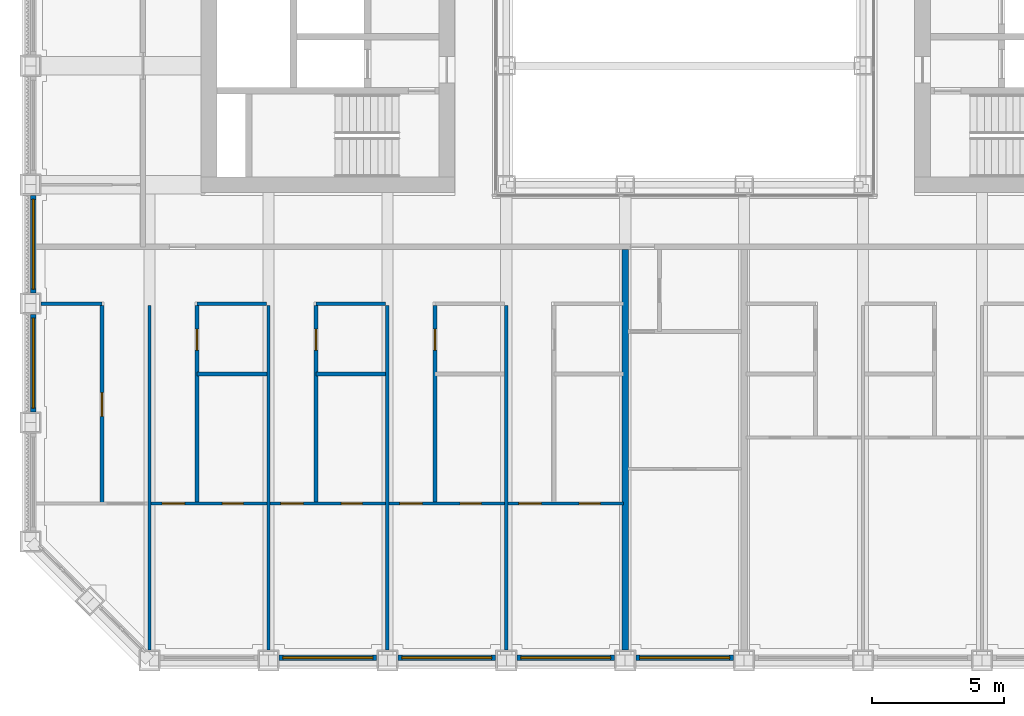
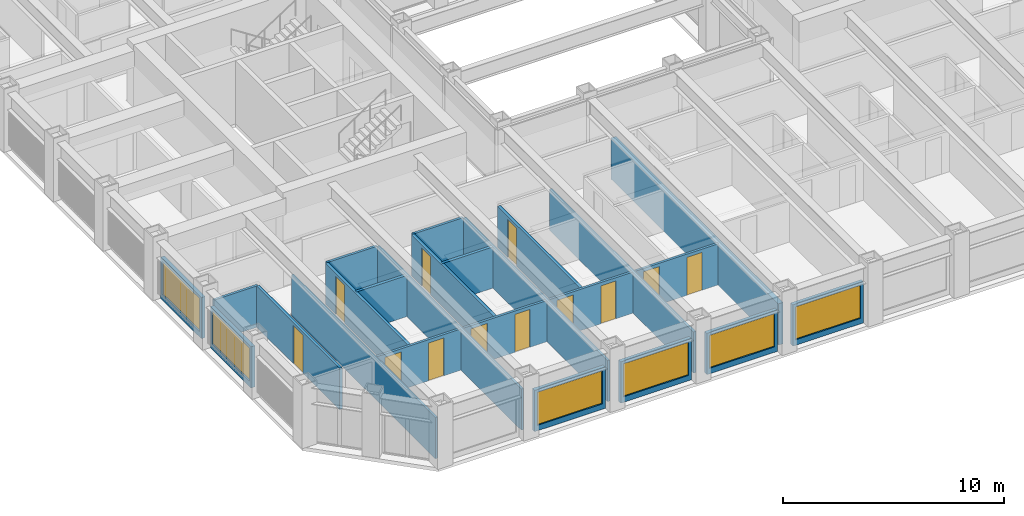
# One storey, part 9 of 21: 24 walls, 12 doors, 6 windows, 18 openings.
"""IFC4 building model written with IfcOpenShell, lengths in metres."""

from ifc_helpers import new_model, si_unit, direction, frame, frame_2d, origin, place, context, subcontext, project, spatial, rectangle, extrude, material, layer, layer_set, type_object, element, fill, save


model = new_model("IFC4")

# Units and contexts
model_context = context("Model", 3, precision=1e-05, world=origin(), true_north=direction((0.0, 1.0)))
body_context = subcontext(model_context, "Body", "Model", "MODEL_VIEW")
ifc_project = project(units=[si_unit("LENGTHUNIT", "METRE"), si_unit("AREAUNIT", "SQUARE_METRE"), si_unit("VOLUMEUNIT", "CUBIC_METRE"), si_unit("PLANEANGLEUNIT", "RADIAN"), si_unit("MASSUNIT", "GRAM", prefix="KILO")], contexts=[model_context])

# Site, building, storey
site_placement = place(None, origin())
site = spatial("IfcSite", under=ifc_project, at=site_placement, CompositionType="ELEMENT")
building_placement = place(site_placement, origin())
building = spatial("IfcBuilding", under=site, at=building_placement, Name="Msasa Ring Tower", CompositionType="ELEMENT")
storey_placement = place(building_placement, frame((0.0, 0.0, 103.5)))
storey = spatial("IfcBuildingStorey", under=building, at=storey_placement, Name="L27", CompositionType="ELEMENT", Elevation=103.5)

# Wall, opening, window
ifc_material_1 = material(Name="Terracotta rainscreen on blockwork", Category="masonry")
ifc_layer_1 = layer(ifc_material_1, 0.199951171875)
ifc_layer_set_1 = layer_set([ifc_layer_1], Name="FW1 TERRACOTTA-LINED INFILL BAY WALL 200")
wall_type_1 = type_object("IfcWallType", Name="FW1 TERRACOTTA-LINED INFILL BAY WALL 200", PredefinedType="SOLIDWALL", material=ifc_layer_set_1)
wall_1_placement = place(storey_placement, frame((-15.344970703125, -24.64990234375, 0.0), z_axis=(0.0, 0.0, 1.0), x_axis=(1.0, 0.0, 0.0)))
wall_1 = element("IfcWall", 1, at=wall_1_placement, inside=storey, type_object=wall_type_1, Name="Infill bay wall S L27 01", PredefinedType="SOLIDWALL", context=body_context, shape_type="SweptSolid", body=[
    extrude(rectangle(XDim=3.68994140625, YDim=0.199951171875, at=frame_2d((1.844970703125, 0.0))), origin(), (0.0, 0.0, 1.0), 2.279052734375),
])
opening_1_placement = place(wall_1_placement, frame((0.14501953125, 0.0, 0.300048828125)))
opening_1 = element("IfcOpeningElement", 2, at=opening_1_placement, cuts=wall_1, Name="Opening WN6", PredefinedType="OPENING", context=body_context, shape_type="SweptSolid", body=[
    extrude(rectangle(XDim=3.39990234375, YDim=1.8291015625, at=frame_2d((1.699951171875, 0.91455078125))), frame((0.0, 0.10986328125, 0.0), z_axis=(0.0, -1.0, 0.0), x_axis=(1.0, 0.0, 0.0)), (0.0, 0.0, 1.0), 0.219970703125),
])
ifc_material_2 = material(Name="Aluminium frame with clear glass", Category="aluminium")
window_type = type_object("IfcWindowType", Name="WN6 RESIDENCE WINDOW 3400x1829", PartitioningType="SINGLE_PANEL", PredefinedType="WINDOW", material=ifc_material_2)
window_1_placement = place(opening_1_placement, origin())
window_1 = element("IfcWindow", 3, at=window_1_placement, inside=storey, type_object=window_type, Name="Window S L27 01", OverallHeight=1.8291015625, OverallWidth=3.39990234375, PartitioningType="SINGLE_PANEL", PredefinedType="WINDOW", context=body_context, shape_type="SweptSolid", body=[
    extrude(rectangle(XDim=3.39990234375, YDim=1.8291015625, at=frame_2d((1.699951171875, 0.91455078125))), frame((0.0, 0.030029296875, 0.0), z_axis=(0.0, -1.0, 0.0), x_axis=(1.0, 0.0, 0.0)), (0.0, 0.0, 1.0), 0.06005859375),
])
fill(opening_1, window_1)

wall_2_placement = place(storey_placement, frame((-10.844970703125, -24.64990234375, 0.0), z_axis=(0.0, 0.0, 1.0), x_axis=(1.0, 0.0, 0.0)))
wall_2 = element("IfcWall", 4, at=wall_2_placement, inside=storey, type_object=wall_type_1, Name="Infill bay wall S L27 02", PredefinedType="SOLIDWALL", context=body_context, shape_type="SweptSolid", body=[
    extrude(rectangle(XDim=3.68994140625, YDim=0.199951171875, at=frame_2d((1.844970703125, 0.0))), origin(), (0.0, 0.0, 1.0), 2.279052734375),
])
opening_2_placement = place(wall_2_placement, frame((0.14501953125, 0.0, 0.300048828125)))
opening_2 = element("IfcOpeningElement", 5, at=opening_2_placement, cuts=wall_2, Name="Opening WN6", PredefinedType="OPENING", context=body_context, shape_type="SweptSolid", body=[
    extrude(rectangle(XDim=3.39990234375, YDim=1.8291015625, at=frame_2d((1.699951171875, 0.91455078125))), frame((0.0, 0.10986328125, 0.0), z_axis=(0.0, -1.0, 0.0), x_axis=(1.0, 0.0, 0.0)), (0.0, 0.0, 1.0), 0.219970703125),
])
window_2_placement = place(opening_2_placement, origin())
window_2 = element("IfcWindow", 6, at=window_2_placement, inside=storey, type_object=window_type, Name="Window S L27 02", OverallHeight=1.8291015625, OverallWidth=3.39990234375, PartitioningType="SINGLE_PANEL", PredefinedType="WINDOW", context=body_context, shape_type="SweptSolid", body=[
    extrude(rectangle(XDim=3.39990234375, YDim=1.8291015625, at=frame_2d((1.699951171875, 0.91455078125))), frame((0.0, 0.030029296875, 0.0), z_axis=(0.0, -1.0, 0.0), x_axis=(1.0, 0.0, 0.0)), (0.0, 0.0, 1.0), 0.06005859375),
])
fill(opening_2, window_2)

wall_3_placement = place(storey_placement, frame((-6.344970703125, -24.64990234375, 0.0), z_axis=(0.0, 0.0, 1.0), x_axis=(1.0, 0.0, 0.0)))
wall_3 = element("IfcWall", 7, at=wall_3_placement, inside=storey, type_object=wall_type_1, Name="Infill bay wall S L27 03", PredefinedType="SOLIDWALL", context=body_context, shape_type="SweptSolid", body=[
    extrude(rectangle(XDim=3.68994140625, YDim=0.199951171875, at=frame_2d((1.844970703125, 0.0))), origin(), (0.0, 0.0, 1.0), 2.279052734375),
])
opening_3_placement = place(wall_3_placement, frame((0.14501953125, 0.0, 0.300048828125)))
opening_3 = element("IfcOpeningElement", 8, at=opening_3_placement, cuts=wall_3, Name="Opening WN6", PredefinedType="OPENING", context=body_context, shape_type="SweptSolid", body=[
    extrude(rectangle(XDim=3.39990234375, YDim=1.8291015625, at=frame_2d((1.699951171875, 0.91455078125))), frame((0.0, 0.10986328125, 0.0), z_axis=(0.0, -1.0, 0.0), x_axis=(1.0, 0.0, 0.0)), (0.0, 0.0, 1.0), 0.219970703125),
])
window_3_placement = place(opening_3_placement, origin())
window_3 = element("IfcWindow", 9, at=window_3_placement, inside=storey, type_object=window_type, Name="Window S L27 03", OverallHeight=1.8291015625, OverallWidth=3.39990234375, PartitioningType="SINGLE_PANEL", PredefinedType="WINDOW", context=body_context, shape_type="SweptSolid", body=[
    extrude(rectangle(XDim=3.39990234375, YDim=1.8291015625, at=frame_2d((1.699951171875, 0.91455078125))), frame((0.0, 0.030029296875, 0.0), z_axis=(0.0, -1.0, 0.0), x_axis=(1.0, 0.0, 0.0)), (0.0, 0.0, 1.0), 0.06005859375),
])
fill(opening_3, window_3)

wall_4_placement = place(storey_placement, frame((-1.844970703125, -24.64990234375, 0.0), z_axis=(0.0, 0.0, 1.0), x_axis=(1.0, 0.0, 0.0)))
wall_4 = element("IfcWall", 10, at=wall_4_placement, inside=storey, type_object=wall_type_1, Name="Infill bay wall S L27 04", PredefinedType="SOLIDWALL", context=body_context, shape_type="SweptSolid", body=[
    extrude(rectangle(XDim=3.68994140625, YDim=0.199951171875, at=frame_2d((1.844970703125, 0.0))), origin(), (0.0, 0.0, 1.0), 2.279052734375),
])
opening_4_placement = place(wall_4_placement, frame((0.14501953125, 0.0, 0.300048828125)))
opening_4 = element("IfcOpeningElement", 11, at=opening_4_placement, cuts=wall_4, Name="Opening WN6", PredefinedType="OPENING", context=body_context, shape_type="SweptSolid", body=[
    extrude(rectangle(XDim=3.39990234375, YDim=1.8291015625, at=frame_2d((1.699951171875, 0.91455078125))), frame((0.0, 0.10986328125, 0.0), z_axis=(0.0, -1.0, 0.0), x_axis=(1.0, 0.0, 0.0)), (0.0, 0.0, 1.0), 0.219970703125),
])
window_4_placement = place(opening_4_placement, origin())
window_4 = element("IfcWindow", 12, at=window_4_placement, inside=storey, type_object=window_type, Name="Window S L27 04", OverallHeight=1.8291015625, OverallWidth=3.39990234375, PartitioningType="SINGLE_PANEL", PredefinedType="WINDOW", context=body_context, shape_type="SweptSolid", body=[
    extrude(rectangle(XDim=3.39990234375, YDim=1.8291015625, at=frame_2d((1.699951171875, 0.91455078125))), frame((0.0, 0.030029296875, 0.0), z_axis=(0.0, -1.0, 0.0), x_axis=(1.0, 0.0, 0.0)), (0.0, 0.0, 1.0), 0.06005859375),
])
fill(opening_4, window_4)

wall_5_placement = place(storey_placement, frame((-24.64990234375, -15.344970703125, 0.0), z_axis=(0.0, 0.0, 1.0), x_axis=(0.0, 1.0, 0.0)))
wall_5 = element("IfcWall", 13, at=wall_5_placement, inside=storey, type_object=wall_type_1, Name="Infill bay wall W L27 34", PredefinedType="SOLIDWALL", context=body_context, shape_type="SweptSolid", body=[
    extrude(rectangle(XDim=3.68994140625, YDim=0.199951171875, at=frame_2d((1.844970703125, 0.0))), origin(), (0.0, 0.0, 1.0), 2.279052734375),
])
opening_5_placement = place(wall_5_placement, frame((0.14501953125, 0.0, 0.300048828125)))
opening_5 = element("IfcOpeningElement", 14, at=opening_5_placement, cuts=wall_5, Name="Opening WN6", PredefinedType="OPENING", context=body_context, shape_type="SweptSolid", body=[
    extrude(rectangle(XDim=3.39990234375, YDim=1.8291015625, at=frame_2d((1.699951171875, 0.91455078125))), frame((0.0, 0.10986328125, 0.0), z_axis=(0.0, -1.0, 0.0), x_axis=(1.0, 0.0, 0.0)), (0.0, 0.0, 1.0), 0.219970703125),
])
window_5_placement = place(opening_5_placement, origin())
window_5 = element("IfcWindow", 15, at=window_5_placement, inside=storey, type_object=window_type, Name="Window W L27 34", OverallHeight=1.8291015625, OverallWidth=3.39990234375, PartitioningType="SINGLE_PANEL", PredefinedType="WINDOW", context=body_context, shape_type="SweptSolid", body=[
    extrude(rectangle(XDim=3.39990234375, YDim=1.8291015625, at=frame_2d((1.699951171875, 0.91455078125))), frame((0.0, 0.030029296875, 0.0), z_axis=(0.0, -1.0, 0.0), x_axis=(1.0, 0.0, 0.0)), (0.0, 0.0, 1.0), 0.06005859375),
])
fill(opening_5, window_5)

wall_6_placement = place(storey_placement, frame((-24.64990234375, -10.844970703125, 0.0), z_axis=(0.0, 0.0, 1.0), x_axis=(0.0, 1.0, 0.0)))
wall_6 = element("IfcWall", 16, at=wall_6_placement, inside=storey, type_object=wall_type_1, Name="Infill bay wall W L27 35", PredefinedType="SOLIDWALL", context=body_context, shape_type="SweptSolid", body=[
    extrude(rectangle(XDim=3.68994140625, YDim=0.199951171875, at=frame_2d((1.844970703125, 0.0))), origin(), (0.0, 0.0, 1.0), 2.279052734375),
])
opening_6_placement = place(wall_6_placement, frame((0.14501953125, 0.0, 0.300048828125)))
opening_6 = element("IfcOpeningElement", 17, at=opening_6_placement, cuts=wall_6, Name="Opening WN6", PredefinedType="OPENING", context=body_context, shape_type="SweptSolid", body=[
    extrude(rectangle(XDim=3.39990234375, YDim=1.8291015625, at=frame_2d((1.699951171875, 0.91455078125))), frame((0.0, 0.10986328125, 0.0), z_axis=(0.0, -1.0, 0.0), x_axis=(1.0, 0.0, 0.0)), (0.0, 0.0, 1.0), 0.219970703125),
])
window_6_placement = place(opening_6_placement, origin())
window_6 = element("IfcWindow", 18, at=window_6_placement, inside=storey, type_object=window_type, Name="Window W L27 35", OverallHeight=1.8291015625, OverallWidth=3.39990234375, PartitioningType="SINGLE_PANEL", PredefinedType="WINDOW", context=body_context, shape_type="SweptSolid", body=[
    extrude(rectangle(XDim=3.39990234375, YDim=1.8291015625, at=frame_2d((1.699951171875, 0.91455078125))), frame((0.0, 0.030029296875, 0.0), z_axis=(0.0, -1.0, 0.0), x_axis=(1.0, 0.0, 0.0)), (0.0, 0.0, 1.0), 0.06005859375),
])
fill(opening_6, window_6)

# Wall
ifc_material_3 = material(Name="Dense concrete blockwork, plastered both faces", Category="masonry")
ifc_layer_2 = layer(ifc_material_3, 0.25)
ifc_layer_set_2 = layer_set([ifc_layer_2], Name="PT3 APARTMENT SEPARATING WALL 250")
wall_type_2 = type_object("IfcWallType", Name="PT3 APARTMENT SEPARATING WALL 250", PredefinedType="PARTITIONING", material=ifc_layer_set_2)
wall_7_placement = place(storey_placement, frame((-2.25, -24.35009765625, 0.0), z_axis=(0.0, 0.0, 1.0), x_axis=(0.0, 1.0, 0.0)))
element("IfcWall", 19, at=wall_7_placement, inside=storey, type_object=wall_type_2, Name="Party wall L27-PWS-2.25", PredefinedType="PARTITIONING", context=body_context, shape_type="SweptSolid", body=[
    extrude(rectangle(XDim=15.150146484375, YDim=0.25, at=frame_2d((7.5751953125, 0.0))), origin(), (0.0, 0.0, 1.0), 2.279052734375),
])

# Wall, opening, door
ifc_material_4 = material(Name="Moisture-resistant board on steel studs with a concealed cistern and pipe void, tiled", Category="steel")
ifc_layer_3 = layer(ifc_material_4, 0.14990234375)
ifc_layer_set_3 = layer_set([ifc_layer_3], Name="PT4 BATHROOM WET WALL 150")
wall_type_3 = type_object("IfcWallType", Name="PT4 BATHROOM WET WALL 150", PredefinedType="PARTITIONING", material=ifc_layer_set_3)
wall_8_placement = place(storey_placement, frame((-22.050048828125, -18.8125, 0.0), z_axis=(0.0, 0.0, 1.0), x_axis=(0.0, 1.0, 0.0)))
wall_8 = element("IfcWall", 20, at=wall_8_placement, inside=storey, type_object=wall_type_3, Name="Partition L27-US00SX0", PredefinedType="PARTITIONING", context=body_context, shape_type="SweptSolid", body=[
    extrude(rectangle(XDim=7.5, YDim=0.14990234375, at=frame_2d((3.75, 0.0))), origin(), (0.0, 0.0, 1.0), 2.279052734375),
])
opening_7_placement = place(wall_8_placement, frame((3.300048828125, 0.0, 0.0)))
opening_7 = element("IfcOpeningElement", 21, at=opening_7_placement, cuts=wall_8, Name="Opening RH-063", PredefinedType="OPENING", context=body_context, shape_type="SweptSolid", body=[
    extrude(rectangle(XDim=0.89990234375, YDim=2.10009765625, at=frame_2d((0.449951171875, 1.050048828125))), frame((0.0, 0.0849609375, 0.0), z_axis=(0.0, -1.0, 0.0), x_axis=(1.0, 0.0, 0.0)), (0.0, 0.0, 1.0), 0.169921875),
])
ifc_material_5 = material(Name="Timber door leaf in a steel frame", Category="steel")
door_type_1 = type_object("IfcDoorType", Name="D22 INTERNAL HALL DOOR 900x2100", OperationType="SINGLE_SWING_LEFT", PredefinedType="DOOR", material=ifc_material_5)
door_1_placement = place(opening_7_placement, origin())
door_1 = element("IfcDoor", 22, at=door_1_placement, inside=storey, type_object=door_type_1, Name="Door L27-US00K", OperationType="SINGLE_SWING_LEFT", OverallHeight=2.10009765625, OverallWidth=0.89990234375, PredefinedType="DOOR", context=body_context, shape_type="SweptSolid", body=[
    extrude(rectangle(XDim=0.89990234375, YDim=2.10009765625, at=frame_2d((0.449951171875, 1.050048828125))), frame((0.0, 0.02490234375, 0.0), z_axis=(0.0, -1.0, 0.0), x_axis=(1.0, 0.0, 0.0)), (0.0, 0.0, 1.0), 0.050048828125),
])
fill(opening_7, door_1)

wall_9_placement = place(storey_placement, frame((-18.449951171875, -18.8125, 0.0), z_axis=(0.0, 0.0, 1.0), x_axis=(0.0, 1.0, 0.0)))
wall_9 = element("IfcWall", 23, at=wall_9_placement, inside=storey, type_object=wall_type_3, Name="Partition L27-US00SX1", PredefinedType="PARTITIONING", context=body_context, shape_type="SweptSolid", body=[
    extrude(rectangle(XDim=7.5, YDim=0.14990234375, at=frame_2d((3.75, 0.0))), origin(), (0.0, 0.0, 1.0), 2.279052734375),
])
opening_8_placement = place(wall_9_placement, frame((5.800048828125, 0.0, 0.0)))
opening_8 = element("IfcOpeningElement", 24, at=opening_8_placement, cuts=wall_9, Name="Opening RH-054", PredefinedType="OPENING", context=body_context, shape_type="SweptSolid", body=[
    extrude(rectangle(XDim=0.800048828125, YDim=2.10009765625, at=frame_2d((0.39990234375, 1.050048828125))), frame((0.0, 0.0849609375, 0.0), z_axis=(0.0, -1.0, 0.0), x_axis=(1.0, 0.0, 0.0)), (0.0, 0.0, 1.0), 0.169921875),
])
ifc_material_6 = material(Name="Timber door leaf in a steel frame", Category="steel")
door_type_2 = type_object("IfcDoorType", Name="D21 POCKET SLIDING BATHROOM DOOR 800x2100", OperationType="SINGLE_SWING_LEFT", PredefinedType="DOOR", material=ifc_material_6)
door_2_placement = place(opening_8_placement, origin())
door_2 = element("IfcDoor", 25, at=door_2_placement, inside=storey, type_object=door_type_2, Name="Door L27-US00B1", OperationType="SINGLE_SWING_RIGHT", OverallHeight=2.10009765625, OverallWidth=0.800048828125, PredefinedType="DOOR", context=body_context, shape_type="SweptSolid", body=[
    extrude(rectangle(XDim=0.800048828125, YDim=2.10009765625, at=frame_2d((0.39990234375, 1.050048828125))), frame((0.0, 0.02490234375, 0.0), z_axis=(0.0, -1.0, 0.0), x_axis=(1.0, 0.0, 0.0)), (0.0, 0.0, 1.0), 0.050048828125),
])
fill(opening_8, door_2)

# Wall
wall_10_placement = place(storey_placement, frame((-18.449951171875, -13.91259765625, 0.0), z_axis=(0.0, 0.0, 1.0), x_axis=(1.0, 0.0, 0.0)))
element("IfcWall", 26, at=wall_10_placement, inside=storey, type_object=wall_type_3, Name="Partition L27-US00SB1", PredefinedType="PARTITIONING", context=body_context, shape_type="SweptSolid", body=[
    extrude(rectangle(XDim=2.637451171875, YDim=0.14990234375, at=frame_2d((1.31884765625, 0.0))), origin(), (0.0, 0.0, 1.0), 2.279052734375),
])

# Wall, opening, door
wall_11_placement = place(storey_placement, frame((-13.949951171875, -18.8125, 0.0), z_axis=(0.0, 0.0, 1.0), x_axis=(0.0, 1.0, 0.0)))
wall_11 = element("IfcWall", 27, at=wall_11_placement, inside=storey, type_object=wall_type_3, Name="Partition L27-US00SX2", PredefinedType="PARTITIONING", context=body_context, shape_type="SweptSolid", body=[
    extrude(rectangle(XDim=7.5, YDim=0.14990234375, at=frame_2d((3.75, 0.0))), origin(), (0.0, 0.0, 1.0), 2.279052734375),
])
opening_9_placement = place(wall_11_placement, frame((5.800048828125, 0.0, 0.0)))
opening_9 = element("IfcOpeningElement", 28, at=opening_9_placement, cuts=wall_11, Name="Opening RH-055", PredefinedType="OPENING", context=body_context, shape_type="SweptSolid", body=[
    extrude(rectangle(XDim=0.800048828125, YDim=2.10009765625, at=frame_2d((0.39990234375, 1.050048828125))), frame((0.0, 0.0849609375, 0.0), z_axis=(0.0, -1.0, 0.0), x_axis=(1.0, 0.0, 0.0)), (0.0, 0.0, 1.0), 0.169921875),
])
door_3_placement = place(opening_9_placement, origin())
door_3 = element("IfcDoor", 29, at=door_3_placement, inside=storey, type_object=door_type_2, Name="Door L27-US00B2", OperationType="SINGLE_SWING_RIGHT", OverallHeight=2.10009765625, OverallWidth=0.800048828125, PredefinedType="DOOR", context=body_context, shape_type="SweptSolid", body=[
    extrude(rectangle(XDim=0.800048828125, YDim=2.10009765625, at=frame_2d((0.39990234375, 1.050048828125))), frame((0.0, 0.02490234375, 0.0), z_axis=(0.0, -1.0, 0.0), x_axis=(1.0, 0.0, 0.0)), (0.0, 0.0, 1.0), 0.050048828125),
])
fill(opening_9, door_3)

# Wall
wall_12_placement = place(storey_placement, frame((-13.949951171875, -13.91259765625, 0.0), z_axis=(0.0, 0.0, 1.0), x_axis=(1.0, 0.0, 0.0)))
element("IfcWall", 30, at=wall_12_placement, inside=storey, type_object=wall_type_3, Name="Partition L27-US00SB2", PredefinedType="PARTITIONING", context=body_context, shape_type="SweptSolid", body=[
    extrude(rectangle(XDim=2.637451171875, YDim=0.14990234375, at=frame_2d((1.31884765625, 0.0))), origin(), (0.0, 0.0, 1.0), 2.279052734375),
])

# Wall, opening, door
wall_13_placement = place(storey_placement, frame((-9.449951171875, -18.8125, 0.0), z_axis=(0.0, 0.0, 1.0), x_axis=(0.0, 1.0, 0.0)))
wall_13 = element("IfcWall", 31, at=wall_13_placement, inside=storey, type_object=wall_type_3, Name="Partition L27-US00SX3", PredefinedType="PARTITIONING", context=body_context, shape_type="SweptSolid", body=[
    extrude(rectangle(XDim=7.5, YDim=0.14990234375, at=frame_2d((3.75, 0.0))), origin(), (0.0, 0.0, 1.0), 2.279052734375),
])
opening_10_placement = place(wall_13_placement, frame((5.800048828125, 0.0, 0.0)))
opening_10 = element("IfcOpeningElement", 32, at=opening_10_placement, cuts=wall_13, Name="Opening RH-056", PredefinedType="OPENING", context=body_context, shape_type="SweptSolid", body=[
    extrude(rectangle(XDim=0.800048828125, YDim=2.10009765625, at=frame_2d((0.39990234375, 1.050048828125))), frame((0.0, 0.0849609375, 0.0), z_axis=(0.0, -1.0, 0.0), x_axis=(1.0, 0.0, 0.0)), (0.0, 0.0, 1.0), 0.169921875),
])
door_4_placement = place(opening_10_placement, origin())
door_4 = element("IfcDoor", 33, at=door_4_placement, inside=storey, type_object=door_type_2, Name="Door L27-US00B3", OperationType="SINGLE_SWING_RIGHT", OverallHeight=2.10009765625, OverallWidth=0.800048828125, PredefinedType="DOOR", context=body_context, shape_type="SweptSolid", body=[
    extrude(rectangle(XDim=0.800048828125, YDim=2.10009765625, at=frame_2d((0.39990234375, 1.050048828125))), frame((0.0, 0.02490234375, 0.0), z_axis=(0.0, -1.0, 0.0), x_axis=(1.0, 0.0, 0.0)), (0.0, 0.0, 1.0), 0.050048828125),
])
fill(opening_10, door_4)

# Walls
ifc_material_7 = material(Name="Two layers of acoustic board each face on steel studs, mineral wool", Category="steel")
ifc_layer_4 = layer(ifc_material_7, 0.125)
ifc_layer_set_4 = layer_set([ifc_layer_4], Name="PT6 ACOUSTIC DOUBLE-BOARD PARTITION 125")
wall_type_4 = type_object("IfcWallType", Name="PT6 ACOUSTIC DOUBLE-BOARD PARTITION 125", PredefinedType="PARTITIONING", material=ifc_layer_set_4)
wall_14_placement = place(storey_placement, frame((-24.35009765625, -11.25, 0.0), z_axis=(0.0, 0.0, 1.0), x_axis=(1.0, 0.0, 0.0)))
element("IfcWall", 34, at=wall_14_placement, inside=storey, type_object=wall_type_4, Name="Partition L27-US00HY0", PredefinedType="PARTITIONING", context=body_context, shape_type="SweptSolid", body=[
    extrude(rectangle(XDim=2.300048828125, YDim=0.125, at=frame_2d((1.14990234375, 0.0))), origin(), (0.0, 0.0, 1.0), 2.279052734375),
])
wall_15_placement = place(storey_placement, frame((-20.25, -24.35009765625, 0.0), z_axis=(0.0, 0.0, 1.0), x_axis=(0.0, 1.0, 0.0)))
element("IfcWall", 35, at=wall_15_placement, inside=storey, type_object=wall_type_4, Name="Partition L27-US00P1", PredefinedType="PARTITIONING", context=body_context, shape_type="SweptSolid", body=[
    extrude(rectangle(XDim=13.03759765625, YDim=0.125, at=frame_2d((6.518798828125, 0.0))), origin(), (0.0, 0.0, 1.0), 2.279052734375),
])
wall_16_placement = place(storey_placement, frame((-18.449951171875, -11.25, 0.0), z_axis=(0.0, 0.0, 1.0), x_axis=(1.0, 0.0, 0.0)))
element("IfcWall", 36, at=wall_16_placement, inside=storey, type_object=wall_type_4, Name="Partition L27-US00HY1", PredefinedType="PARTITIONING", context=body_context, shape_type="SweptSolid", body=[
    extrude(rectangle(XDim=2.632568359375, YDim=0.125, at=frame_2d((1.31640625, 0.0))), origin(), (0.0, 0.0, 1.0), 2.279052734375),
])

# Wall, openings, doors
wall_17_placement = place(storey_placement, frame((-20.1875, -18.8125, 0.0), z_axis=(0.0, 0.0, 1.0), x_axis=(1.0, 0.0, 0.0)))
wall_17 = element("IfcWall", 37, at=wall_17_placement, inside=storey, type_object=wall_type_4, Name="Partition L27-US00SY1", PredefinedType="PARTITIONING", context=body_context, shape_type="SweptSolid", body=[
    extrude(rectangle(XDim=4.375, YDim=0.125, at=frame_2d((2.1875, 0.0))), origin(), (0.0, 0.0, 1.0), 2.279052734375),
])
opening_11_placement = place(wall_17_placement, frame((0.41259765625, 0.0, 0.0)))
opening_11 = element("IfcOpeningElement", 38, at=opening_11_placement, cuts=wall_17, Name="Opening RH-075", PredefinedType="OPENING", context=body_context, shape_type="SweptSolid", body=[
    extrude(rectangle(XDim=0.85009765625, YDim=2.10009765625, at=frame_2d((0.425048828125, 1.050048828125))), frame((0.0, 0.072509765625, 0.0), z_axis=(0.0, -1.0, 0.0), x_axis=(1.0, 0.0, 0.0)), (0.0, 0.0, 1.0), 0.14501953125),
])
opening_12_placement = place(wall_17_placement, frame((2.693603515625, 0.0, 0.0)))
opening_12 = element("IfcOpeningElement", 39, at=opening_12_placement, cuts=wall_17, Name="Opening RH-076", PredefinedType="OPENING", context=body_context, shape_type="SweptSolid", body=[
    extrude(rectangle(XDim=0.800048828125, YDim=2.10009765625, at=frame_2d((0.39990234375, 1.050048828125))), frame((0.0, 0.072509765625, 0.0), z_axis=(0.0, -1.0, 0.0), x_axis=(1.0, 0.0, 0.0)), (0.0, 0.0, 1.0), 0.14501953125),
])
ifc_material_8 = material(Name="Timber door leaf in a steel frame", Category="steel")
door_type_3 = type_object("IfcDoorType", Name="D14 BEDROOM DOOR 850x2100", OperationType="SINGLE_SWING_LEFT", PredefinedType="DOOR", material=ifc_material_8)
door_5_placement = place(opening_11_placement, origin())
door_5 = element("IfcDoor", 40, at=door_5_placement, inside=storey, type_object=door_type_3, Name="Door L27-US00R1", OperationType="SINGLE_SWING_LEFT", OverallHeight=2.10009765625, OverallWidth=0.85009765625, PredefinedType="DOOR", context=body_context, shape_type="SweptSolid", body=[
    extrude(rectangle(XDim=0.85009765625, YDim=2.10009765625, at=frame_2d((0.425048828125, 1.050048828125))), frame((0.0, 0.02490234375, 0.0), z_axis=(0.0, -1.0, 0.0), x_axis=(1.0, 0.0, 0.0)), (0.0, 0.0, 1.0), 0.050048828125),
])
fill(opening_11, door_5)
ifc_material_9 = material(Name="Timber door leaf in a steel frame", Category="steel")
door_type_4 = type_object("IfcDoorType", Name="D60 DRESSING ROOM DOOR 800x2100", OperationType="SINGLE_SWING_LEFT", PredefinedType="DOOR", material=ifc_material_9)
door_6_placement = place(opening_12_placement, origin())
door_6 = element("IfcDoor", 41, at=door_6_placement, inside=storey, type_object=door_type_4, Name="Door L27-US00W1", OperationType="SINGLE_SWING_RIGHT", OverallHeight=2.10009765625, OverallWidth=0.800048828125, PredefinedType="DOOR", context=body_context, shape_type="SweptSolid", body=[
    extrude(rectangle(XDim=0.800048828125, YDim=2.10009765625, at=frame_2d((0.39990234375, 1.050048828125))), frame((0.0, 0.02490234375, 0.0), z_axis=(0.0, -1.0, 0.0), x_axis=(1.0, 0.0, 0.0)), (0.0, 0.0, 1.0), 0.050048828125),
])
fill(opening_12, door_6)

# Walls
wall_18_placement = place(storey_placement, frame((-15.75, -24.35009765625, 0.0), z_axis=(0.0, 0.0, 1.0), x_axis=(0.0, 1.0, 0.0)))
element("IfcWall", 42, at=wall_18_placement, inside=storey, type_object=wall_type_4, Name="Partition L27-US00P2", PredefinedType="PARTITIONING", context=body_context, shape_type="SweptSolid", body=[
    extrude(rectangle(XDim=13.03759765625, YDim=0.125, at=frame_2d((6.518798828125, 0.0))), origin(), (0.0, 0.0, 1.0), 2.279052734375),
])
wall_19_placement = place(storey_placement, frame((-13.949951171875, -11.25, 0.0), z_axis=(0.0, 0.0, 1.0), x_axis=(1.0, 0.0, 0.0)))
element("IfcWall", 43, at=wall_19_placement, inside=storey, type_object=wall_type_4, Name="Partition L27-US00HY2", PredefinedType="PARTITIONING", context=body_context, shape_type="SweptSolid", body=[
    extrude(rectangle(XDim=2.632568359375, YDim=0.125, at=frame_2d((1.31640625, 0.0))), origin(), (0.0, 0.0, 1.0), 2.279052734375),
])

# Wall, openings, doors
wall_20_placement = place(storey_placement, frame((-15.6875, -18.8125, 0.0), z_axis=(0.0, 0.0, 1.0), x_axis=(1.0, 0.0, 0.0)))
wall_20 = element("IfcWall", 44, at=wall_20_placement, inside=storey, type_object=wall_type_4, Name="Partition L27-US00SY2", PredefinedType="PARTITIONING", context=body_context, shape_type="SweptSolid", body=[
    extrude(rectangle(XDim=4.375, YDim=0.125, at=frame_2d((2.1875, 0.0))), origin(), (0.0, 0.0, 1.0), 2.279052734375),
])
opening_13_placement = place(wall_20_placement, frame((0.41259765625, 0.0, 0.0)))
opening_13 = element("IfcOpeningElement", 45, at=opening_13_placement, cuts=wall_20, Name="Opening RH-077", PredefinedType="OPENING", context=body_context, shape_type="SweptSolid", body=[
    extrude(rectangle(XDim=0.85009765625, YDim=2.10009765625, at=frame_2d((0.425048828125, 1.050048828125))), frame((0.0, 0.072509765625, 0.0), z_axis=(0.0, -1.0, 0.0), x_axis=(1.0, 0.0, 0.0)), (0.0, 0.0, 1.0), 0.14501953125),
])
opening_14_placement = place(wall_20_placement, frame((2.693603515625, 0.0, 0.0)))
opening_14 = element("IfcOpeningElement", 46, at=opening_14_placement, cuts=wall_20, Name="Opening RH-078", PredefinedType="OPENING", context=body_context, shape_type="SweptSolid", body=[
    extrude(rectangle(XDim=0.800048828125, YDim=2.10009765625, at=frame_2d((0.39990234375, 1.050048828125))), frame((0.0, 0.072509765625, 0.0), z_axis=(0.0, -1.0, 0.0), x_axis=(1.0, 0.0, 0.0)), (0.0, 0.0, 1.0), 0.14501953125),
])
door_7_placement = place(opening_13_placement, origin())
door_7 = element("IfcDoor", 47, at=door_7_placement, inside=storey, type_object=door_type_3, Name="Door L27-US00R2", OperationType="SINGLE_SWING_LEFT", OverallHeight=2.10009765625, OverallWidth=0.85009765625, PredefinedType="DOOR", context=body_context, shape_type="SweptSolid", body=[
    extrude(rectangle(XDim=0.85009765625, YDim=2.10009765625, at=frame_2d((0.425048828125, 1.050048828125))), frame((0.0, 0.02490234375, 0.0), z_axis=(0.0, -1.0, 0.0), x_axis=(1.0, 0.0, 0.0)), (0.0, 0.0, 1.0), 0.050048828125),
])
fill(opening_13, door_7)
door_8_placement = place(opening_14_placement, origin())
door_8 = element("IfcDoor", 48, at=door_8_placement, inside=storey, type_object=door_type_4, Name="Door L27-US00W2", OperationType="SINGLE_SWING_RIGHT", OverallHeight=2.10009765625, OverallWidth=0.800048828125, PredefinedType="DOOR", context=body_context, shape_type="SweptSolid", body=[
    extrude(rectangle(XDim=0.800048828125, YDim=2.10009765625, at=frame_2d((0.39990234375, 1.050048828125))), frame((0.0, 0.02490234375, 0.0), z_axis=(0.0, -1.0, 0.0), x_axis=(1.0, 0.0, 0.0)), (0.0, 0.0, 1.0), 0.050048828125),
])
fill(opening_14, door_8)

# Wall
wall_21_placement = place(storey_placement, frame((-11.25, -24.35009765625, 0.0), z_axis=(0.0, 0.0, 1.0), x_axis=(0.0, 1.0, 0.0)))
element("IfcWall", 49, at=wall_21_placement, inside=storey, type_object=wall_type_4, Name="Partition L27-US00P3", PredefinedType="PARTITIONING", context=body_context, shape_type="SweptSolid", body=[
    extrude(rectangle(XDim=13.03759765625, YDim=0.125, at=frame_2d((6.518798828125, 0.0))), origin(), (0.0, 0.0, 1.0), 2.279052734375),
])

# Wall, openings, doors
wall_22_placement = place(storey_placement, frame((-11.1875, -18.8125, 0.0), z_axis=(0.0, 0.0, 1.0), x_axis=(1.0, 0.0, 0.0)))
wall_22 = element("IfcWall", 50, at=wall_22_placement, inside=storey, type_object=wall_type_4, Name="Partition L27-US00SY3", PredefinedType="PARTITIONING", context=body_context, shape_type="SweptSolid", body=[
    extrude(rectangle(XDim=4.375, YDim=0.125, at=frame_2d((2.1875, 0.0))), origin(), (0.0, 0.0, 1.0), 2.279052734375),
])
opening_15_placement = place(wall_22_placement, frame((0.41259765625, 0.0, 0.0)))
opening_15 = element("IfcOpeningElement", 51, at=opening_15_placement, cuts=wall_22, Name="Opening RH-079", PredefinedType="OPENING", context=body_context, shape_type="SweptSolid", body=[
    extrude(rectangle(XDim=0.85009765625, YDim=2.10009765625, at=frame_2d((0.425048828125, 1.050048828125))), frame((0.0, 0.072509765625, 0.0), z_axis=(0.0, -1.0, 0.0), x_axis=(1.0, 0.0, 0.0)), (0.0, 0.0, 1.0), 0.14501953125),
])
opening_16_placement = place(wall_22_placement, frame((2.693603515625, 0.0, 0.0)))
opening_16 = element("IfcOpeningElement", 52, at=opening_16_placement, cuts=wall_22, Name="Opening RH-080", PredefinedType="OPENING", context=body_context, shape_type="SweptSolid", body=[
    extrude(rectangle(XDim=0.800048828125, YDim=2.10009765625, at=frame_2d((0.39990234375, 1.050048828125))), frame((0.0, 0.072509765625, 0.0), z_axis=(0.0, -1.0, 0.0), x_axis=(1.0, 0.0, 0.0)), (0.0, 0.0, 1.0), 0.14501953125),
])
door_9_placement = place(opening_15_placement, origin())
door_9 = element("IfcDoor", 53, at=door_9_placement, inside=storey, type_object=door_type_3, Name="Door L27-US00R3", OperationType="SINGLE_SWING_LEFT", OverallHeight=2.10009765625, OverallWidth=0.85009765625, PredefinedType="DOOR", context=body_context, shape_type="SweptSolid", body=[
    extrude(rectangle(XDim=0.85009765625, YDim=2.10009765625, at=frame_2d((0.425048828125, 1.050048828125))), frame((0.0, 0.02490234375, 0.0), z_axis=(0.0, -1.0, 0.0), x_axis=(1.0, 0.0, 0.0)), (0.0, 0.0, 1.0), 0.050048828125),
])
fill(opening_15, door_9)
door_10_placement = place(opening_16_placement, origin())
door_10 = element("IfcDoor", 54, at=door_10_placement, inside=storey, type_object=door_type_4, Name="Door L27-US00W3", OperationType="SINGLE_SWING_RIGHT", OverallHeight=2.10009765625, OverallWidth=0.800048828125, PredefinedType="DOOR", context=body_context, shape_type="SweptSolid", body=[
    extrude(rectangle(XDim=0.800048828125, YDim=2.10009765625, at=frame_2d((0.39990234375, 1.050048828125))), frame((0.0, 0.02490234375, 0.0), z_axis=(0.0, -1.0, 0.0), x_axis=(1.0, 0.0, 0.0)), (0.0, 0.0, 1.0), 0.050048828125),
])
fill(opening_16, door_10)

# Wall
wall_23_placement = place(storey_placement, frame((-6.75, -24.35009765625, 0.0), z_axis=(0.0, 0.0, 1.0), x_axis=(0.0, 1.0, 0.0)))
element("IfcWall", 55, at=wall_23_placement, inside=storey, type_object=wall_type_4, Name="Partition L27-US00P4", PredefinedType="PARTITIONING", context=body_context, shape_type="SweptSolid", body=[
    extrude(rectangle(XDim=13.03759765625, YDim=0.125, at=frame_2d((6.518798828125, 0.0))), origin(), (0.0, 0.0, 1.0), 2.279052734375),
])

# Wall, openings, doors
wall_24_placement = place(storey_placement, frame((-6.6875, -18.8125, 0.0), z_axis=(0.0, 0.0, 1.0), x_axis=(1.0, 0.0, 0.0)))
wall_24 = element("IfcWall", 56, at=wall_24_placement, inside=storey, type_object=wall_type_4, Name="Partition L27-US00SY4", PredefinedType="PARTITIONING", context=body_context, shape_type="SweptSolid", body=[
    extrude(rectangle(XDim=4.3701171875, YDim=0.125, at=frame_2d((2.18505859375, 0.0))), origin(), (0.0, 0.0, 1.0), 2.279052734375),
])
opening_17_placement = place(wall_24_placement, frame((0.41259765625, 0.0, 0.0)))
opening_17 = element("IfcOpeningElement", 57, at=opening_17_placement, cuts=wall_24, Name="Opening RH-081", PredefinedType="OPENING", context=body_context, shape_type="SweptSolid", body=[
    extrude(rectangle(XDim=0.85009765625, YDim=2.10009765625, at=frame_2d((0.425048828125, 1.050048828125))), frame((0.0, 0.072509765625, 0.0), z_axis=(0.0, -1.0, 0.0), x_axis=(1.0, 0.0, 0.0)), (0.0, 0.0, 1.0), 0.14501953125),
])
opening_18_placement = place(wall_24_placement, frame((2.693603515625, 0.0, 0.0)))
opening_18 = element("IfcOpeningElement", 58, at=opening_18_placement, cuts=wall_24, Name="Opening RH-082", PredefinedType="OPENING", context=body_context, shape_type="SweptSolid", body=[
    extrude(rectangle(XDim=0.800048828125, YDim=2.10009765625, at=frame_2d((0.39990234375, 1.050048828125))), frame((0.0, 0.072509765625, 0.0), z_axis=(0.0, -1.0, 0.0), x_axis=(1.0, 0.0, 0.0)), (0.0, 0.0, 1.0), 0.14501953125),
])
door_11_placement = place(opening_17_placement, origin())
door_11 = element("IfcDoor", 59, at=door_11_placement, inside=storey, type_object=door_type_3, Name="Door L27-US00R4", OperationType="SINGLE_SWING_LEFT", OverallHeight=2.10009765625, OverallWidth=0.85009765625, PredefinedType="DOOR", context=body_context, shape_type="SweptSolid", body=[
    extrude(rectangle(XDim=0.85009765625, YDim=2.10009765625, at=frame_2d((0.425048828125, 1.050048828125))), frame((0.0, 0.02490234375, 0.0), z_axis=(0.0, -1.0, 0.0), x_axis=(1.0, 0.0, 0.0)), (0.0, 0.0, 1.0), 0.050048828125),
])
fill(opening_17, door_11)
door_12_placement = place(opening_18_placement, origin())
door_12 = element("IfcDoor", 60, at=door_12_placement, inside=storey, type_object=door_type_4, Name="Door L27-US00W4", OperationType="SINGLE_SWING_RIGHT", OverallHeight=2.10009765625, OverallWidth=0.800048828125, PredefinedType="DOOR", context=body_context, shape_type="SweptSolid", body=[
    extrude(rectangle(XDim=0.800048828125, YDim=2.10009765625, at=frame_2d((0.39990234375, 1.050048828125))), frame((0.0, 0.02490234375, 0.0), z_axis=(0.0, -1.0, 0.0), x_axis=(1.0, 0.0, 0.0)), (0.0, 0.0, 1.0), 0.050048828125),
])
fill(opening_18, door_12)

save(model, "model.ifc")
